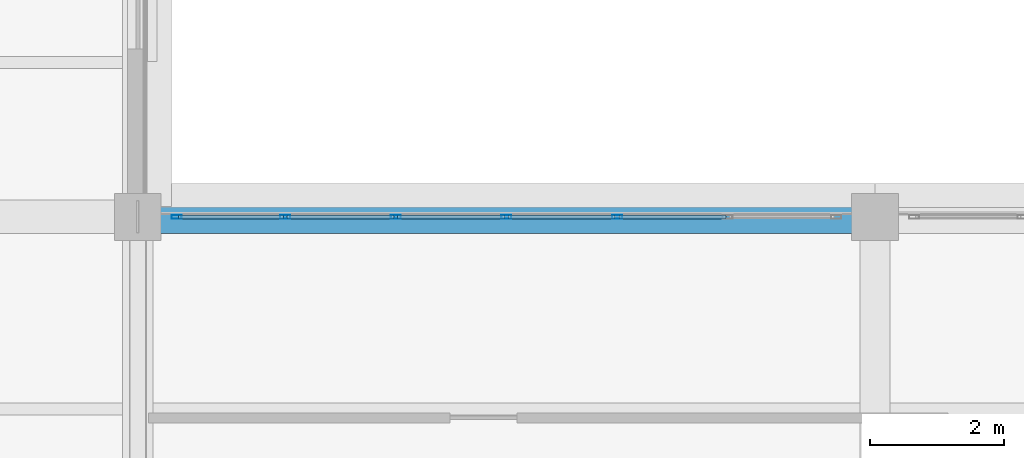
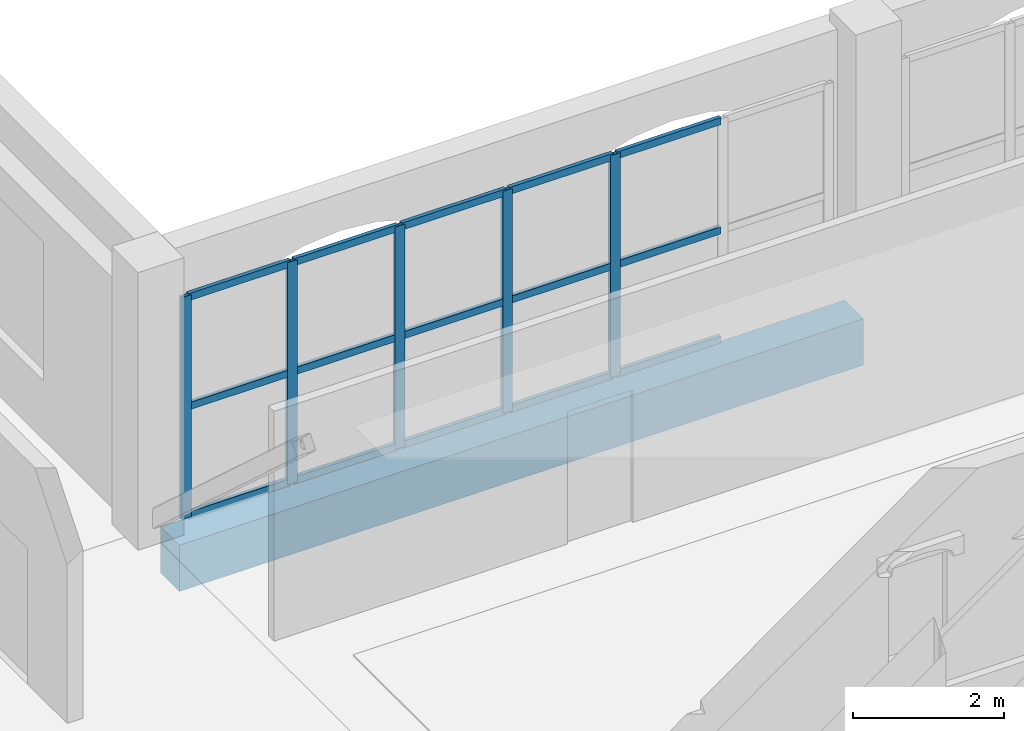
# One storey, part 43 of 156: 20 members, 1 beam, 1 element without a shape of its own.
"""IFC4 building model written with IfcOpenShell, lengths in metres."""

from ifc_helpers import new_model, si_unit, direction, frame, origin, origin_2d, place, context, subcontext, project, spatial, rectangle, hollow_rectangle, extrude, material, material_profile, profile_set, type_object, element, aggregate, save


model = new_model("IFC4")

# Units and contexts
model_context = context("Model", 3, precision=1e-05, world=origin(), true_north=direction((0.0, 1.0)))
body_context = subcontext(model_context, "Body", "Model", "MODEL_VIEW")
ifc_project = project(units=[si_unit("LENGTHUNIT", "METRE"), si_unit("AREAUNIT", "SQUARE_METRE"), si_unit("VOLUMEUNIT", "CUBIC_METRE"), si_unit("PLANEANGLEUNIT", "RADIAN"), si_unit("MASSUNIT", "GRAM", prefix="KILO")], contexts=[model_context])

# Site, building, storey
site_placement = place(None, origin())
site = spatial("IfcSite", under=ifc_project, at=site_placement, CompositionType="ELEMENT")
building_placement = place(site_placement, origin())
building = spatial("IfcBuilding", under=site, at=building_placement, Name="Caurita Quay Ferry Terminal", CompositionType="ELEMENT")
storey_placement = place(building_placement, frame((0.0, 0.0, 5.39990234375)))
storey = spatial("IfcBuildingStorey", under=building, at=storey_placement, Name="L01", CompositionType="ELEMENT", Elevation=5.39990234375)

# Beam
ifc_material_1 = material(Name="Reinforced concrete C35/45", Category="concrete")
ifc_material_profile_1 = material_profile(ifc_material_1, rectangle(XDim=0.5, YDim=0.75, at=origin_2d()), Name="RC-BM-500X750")
ifc_profile_set_1 = profile_set([ifc_material_profile_1], Name="Reinforced concrete C35/45")
beam_type = type_object("IfcBeamType", Name="BM-RC-5075", PredefinedType="BEAM", material=ifc_profile_set_1)
beam_placement = place(storey_placement, frame((22.340087890625, 80.199951171875, -0.594970703125), z_axis=(1.0, 0.0, 0.0), x_axis=(0.0, 1.0, 0.0)))
element("IfcBeam", 1, at=beam_placement, inside=storey, type_object=beam_type, Name="L01 Beam BM-V5-L01-X-223-802", PredefinedType="BEAM", context=body_context, shape_type="SweptSolid", body=[
    extrude(rectangle(XDim=0.5, YDim=0.75, at=origin_2d()), origin(), (0.0, 0.0, 1.0), 10.485107421875),
])

# Curtain wall, members
ifc_material_2 = material(Name="Laminated solar-control insulated glass", Category="glass")
curtain_wall_type = type_object("IfcCurtainWallType", Name="CW-SYS-23", PredefinedType="NOTDEFINED", material=ifc_material_2)
curtain_wall_placement = place(storey_placement, origin())
curtain_wall = element("IfcCurtainWall", 2, at=curtain_wall_placement, inside=storey, type_object=curtain_wall_type, Name="L01 Courtyard Cloister Storefront 156", PredefinedType="NOTDEFINED")
ifc_material_3 = material(Name="Anodized aluminium 6063-T6", Category="aluminium")
ifc_material_profile_2 = material_profile(ifc_material_3, hollow_rectangle(XDim=0.06005859375, YDim=0.14990234375, WallThickness=0.00341796875, at=origin_2d()), Name="ALU-MUL-60X150")
ifc_profile_set_2 = profile_set([ifc_material_profile_2], Name="Anodized aluminium 6063-T6")
member_type_1 = type_object("IfcMemberType", Name="CW-MUL-150", PredefinedType="MULLION", material=ifc_profile_set_2)
member_1_placement = place(storey_placement, frame((22.580078125, 80.199951171875, 0.0), z_axis=(0.0, 0.0, 1.0), x_axis=(0.0, 1.0, 0.0)))
member_1 = element("IfcMember", 3, at=member_1_placement, type_object=member_type_1, Name="CW-CRT-156 Mullion 1", PredefinedType="MULLION", context=body_context, shape_type="SweptSolid", body=[
    extrude(hollow_rectangle(XDim=0.06005859375, YDim=0.14990234375, WallThickness=0.00341796875, at=origin_2d()), origin(), (0.0, 0.0, 1.0), 3.60009765625),
])
member_2_placement = place(storey_placement, frame((24.199951171875, 80.199951171875, 0.0), z_axis=(0.0, 0.0, 1.0), x_axis=(0.0, 1.0, 0.0)))
member_2 = element("IfcMember", 4, at=member_2_placement, type_object=member_type_1, Name="CW-CRT-156 Mullion 2", PredefinedType="MULLION", context=body_context, shape_type="SweptSolid", body=[
    extrude(hollow_rectangle(XDim=0.06005859375, YDim=0.14990234375, WallThickness=0.00341796875, at=origin_2d()), origin(), (0.0, 0.0, 1.0), 3.60009765625),
])
member_3_placement = place(storey_placement, frame((25.85009765625, 80.199951171875, 0.0), z_axis=(0.0, 0.0, 1.0), x_axis=(0.0, 1.0, 0.0)))
member_3 = element("IfcMember", 5, at=member_3_placement, type_object=member_type_1, Name="CW-CRT-156 Mullion 3", PredefinedType="MULLION", context=body_context, shape_type="SweptSolid", body=[
    extrude(hollow_rectangle(XDim=0.06005859375, YDim=0.14990234375, WallThickness=0.00341796875, at=origin_2d()), origin(), (0.0, 0.0, 1.0), 3.60009765625),
])
member_4_placement = place(storey_placement, frame((27.5, 80.199951171875, 0.0), z_axis=(0.0, 0.0, 1.0), x_axis=(0.0, 1.0, 0.0)))
member_4 = element("IfcMember", 6, at=member_4_placement, type_object=member_type_1, Name="CW-CRT-156 Mullion 4", PredefinedType="MULLION", context=body_context, shape_type="SweptSolid", body=[
    extrude(hollow_rectangle(XDim=0.06005859375, YDim=0.14990234375, WallThickness=0.00341796875, at=origin_2d()), origin(), (0.0, 0.0, 1.0), 3.60009765625),
])
member_5_placement = place(storey_placement, frame((29.14990234375, 80.199951171875, 0.0), z_axis=(0.0, 0.0, 1.0), x_axis=(0.0, 1.0, 0.0)))
member_5 = element("IfcMember", 7, at=member_5_placement, type_object=member_type_1, Name="CW-CRT-156 Mullion 5", PredefinedType="MULLION", context=body_context, shape_type="SweptSolid", body=[
    extrude(hollow_rectangle(XDim=0.06005859375, YDim=0.14990234375, WallThickness=0.00341796875, at=origin_2d()), origin(), (0.0, 0.0, 1.0), 3.60009765625),
])
ifc_material_profile_3 = material_profile(ifc_material_3, hollow_rectangle(XDim=0.06005859375, YDim=0.114990234375, WallThickness=0.00341796875, at=origin_2d()), Name="ALU-TRN-60X115")
ifc_profile_set_3 = profile_set([ifc_material_profile_3], Name="Anodized aluminium 6063-T6")
member_type_2 = type_object("IfcMemberType", Name="CW-TRN-115", PredefinedType="USERDEFINED", material=ifc_profile_set_3)
member_6_placement = place(storey_placement, frame((22.60791015625, 80.199951171875, 0.030029296875), z_axis=(1.0, 0.0, 0.0), x_axis=(0.0, 1.0, 0.0)))
member_6 = element("IfcMember", 8, at=member_6_placement, type_object=member_type_2, Name="CW-CRT-156 Transom 1", ObjectType="TRANSOM", PredefinedType="USERDEFINED", context=body_context, shape_type="SweptSolid", body=[
    extrude(hollow_rectangle(XDim=0.06005859375, YDim=0.114990234375, WallThickness=0.00341796875, at=origin_2d()), origin(), (0.0, 0.0, 1.0), 1.564208984375),
])
member_7_placement = place(storey_placement, frame((22.60791015625, 80.199951171875, 1.800048828125), z_axis=(1.0, 0.0, 0.0), x_axis=(0.0, 1.0, 0.0)))
member_7 = element("IfcMember", 9, at=member_7_placement, type_object=member_type_2, Name="CW-CRT-156 Transom 2", ObjectType="TRANSOM", PredefinedType="USERDEFINED", context=body_context, shape_type="SweptSolid", body=[
    extrude(hollow_rectangle(XDim=0.06005859375, YDim=0.114990234375, WallThickness=0.00341796875, at=origin_2d()), origin(), (0.0, 0.0, 1.0), 1.564208984375),
])
member_8_placement = place(storey_placement, frame((22.60791015625, 80.199951171875, 3.570068359375), z_axis=(1.0, 0.0, 0.0), x_axis=(0.0, 1.0, 0.0)))
member_8 = element("IfcMember", 10, at=member_8_placement, type_object=member_type_2, Name="CW-CRT-156 Transom 3", ObjectType="TRANSOM", PredefinedType="USERDEFINED", context=body_context, shape_type="SweptSolid", body=[
    extrude(hollow_rectangle(XDim=0.06005859375, YDim=0.114990234375, WallThickness=0.00341796875, at=origin_2d()), origin(), (0.0, 0.0, 1.0), 1.564208984375),
])
member_9_placement = place(storey_placement, frame((24.22802734375, 80.199951171875, 0.030029296875), z_axis=(1.0, 0.0, 0.0), x_axis=(0.0, 1.0, 0.0)))
member_9 = element("IfcMember", 11, at=member_9_placement, type_object=member_type_2, Name="CW-CRT-156 Transom 4", ObjectType="TRANSOM", PredefinedType="USERDEFINED", context=body_context, shape_type="SweptSolid", body=[
    extrude(hollow_rectangle(XDim=0.06005859375, YDim=0.114990234375, WallThickness=0.00341796875, at=origin_2d()), origin(), (0.0, 0.0, 1.0), 1.593994140625),
])
member_10_placement = place(storey_placement, frame((24.22802734375, 80.199951171875, 1.800048828125), z_axis=(1.0, 0.0, 0.0), x_axis=(0.0, 1.0, 0.0)))
member_10 = element("IfcMember", 12, at=member_10_placement, type_object=member_type_2, Name="CW-CRT-156 Transom 5", ObjectType="TRANSOM", PredefinedType="USERDEFINED", context=body_context, shape_type="SweptSolid", body=[
    extrude(hollow_rectangle(XDim=0.06005859375, YDim=0.114990234375, WallThickness=0.00341796875, at=origin_2d()), origin(), (0.0, 0.0, 1.0), 1.593994140625),
])
member_11_placement = place(storey_placement, frame((24.22802734375, 80.199951171875, 3.570068359375), z_axis=(1.0, 0.0, 0.0), x_axis=(0.0, 1.0, 0.0)))
member_11 = element("IfcMember", 13, at=member_11_placement, type_object=member_type_2, Name="CW-CRT-156 Transom 6", ObjectType="TRANSOM", PredefinedType="USERDEFINED", context=body_context, shape_type="SweptSolid", body=[
    extrude(hollow_rectangle(XDim=0.06005859375, YDim=0.114990234375, WallThickness=0.00341796875, at=origin_2d()), origin(), (0.0, 0.0, 1.0), 1.593994140625),
])
member_12_placement = place(storey_placement, frame((25.8779296875, 80.199951171875, 0.030029296875), z_axis=(1.0, 0.0, 0.0), x_axis=(0.0, 1.0, 0.0)))
member_12 = element("IfcMember", 14, at=member_12_placement, type_object=member_type_2, Name="CW-CRT-156 Transom 7", ObjectType="TRANSOM", PredefinedType="USERDEFINED", context=body_context, shape_type="SweptSolid", body=[
    extrude(hollow_rectangle(XDim=0.06005859375, YDim=0.114990234375, WallThickness=0.00341796875, at=origin_2d()), origin(), (0.0, 0.0, 1.0), 1.593994140625),
])
member_13_placement = place(storey_placement, frame((25.8779296875, 80.199951171875, 1.800048828125), z_axis=(1.0, 0.0, 0.0), x_axis=(0.0, 1.0, 0.0)))
member_13 = element("IfcMember", 15, at=member_13_placement, type_object=member_type_2, Name="CW-CRT-156 Transom 8", ObjectType="TRANSOM", PredefinedType="USERDEFINED", context=body_context, shape_type="SweptSolid", body=[
    extrude(hollow_rectangle(XDim=0.06005859375, YDim=0.114990234375, WallThickness=0.00341796875, at=origin_2d()), origin(), (0.0, 0.0, 1.0), 1.593994140625),
])
member_14_placement = place(storey_placement, frame((25.8779296875, 80.199951171875, 3.570068359375), z_axis=(1.0, 0.0, 0.0), x_axis=(0.0, 1.0, 0.0)))
member_14 = element("IfcMember", 16, at=member_14_placement, type_object=member_type_2, Name="CW-CRT-156 Transom 9", ObjectType="TRANSOM", PredefinedType="USERDEFINED", context=body_context, shape_type="SweptSolid", body=[
    extrude(hollow_rectangle(XDim=0.06005859375, YDim=0.114990234375, WallThickness=0.00341796875, at=origin_2d()), origin(), (0.0, 0.0, 1.0), 1.593994140625),
])
member_15_placement = place(storey_placement, frame((27.528076171875, 80.199951171875, 0.030029296875), z_axis=(1.0, 0.0, 0.0), x_axis=(0.0, 1.0, 0.0)))
member_15 = element("IfcMember", 17, at=member_15_placement, type_object=member_type_2, Name="CW-CRT-156 Transom 10", ObjectType="TRANSOM", PredefinedType="USERDEFINED", context=body_context, shape_type="SweptSolid", body=[
    extrude(hollow_rectangle(XDim=0.06005859375, YDim=0.114990234375, WallThickness=0.00341796875, at=origin_2d()), origin(), (0.0, 0.0, 1.0), 1.593994140625),
])
member_16_placement = place(storey_placement, frame((27.528076171875, 80.199951171875, 1.800048828125), z_axis=(1.0, 0.0, 0.0), x_axis=(0.0, 1.0, 0.0)))
member_16 = element("IfcMember", 18, at=member_16_placement, type_object=member_type_2, Name="CW-CRT-156 Transom 11", ObjectType="TRANSOM", PredefinedType="USERDEFINED", context=body_context, shape_type="SweptSolid", body=[
    extrude(hollow_rectangle(XDim=0.06005859375, YDim=0.114990234375, WallThickness=0.00341796875, at=origin_2d()), origin(), (0.0, 0.0, 1.0), 1.593994140625),
])
member_17_placement = place(storey_placement, frame((27.528076171875, 80.199951171875, 3.570068359375), z_axis=(1.0, 0.0, 0.0), x_axis=(0.0, 1.0, 0.0)))
member_17 = element("IfcMember", 19, at=member_17_placement, type_object=member_type_2, Name="CW-CRT-156 Transom 12", ObjectType="TRANSOM", PredefinedType="USERDEFINED", context=body_context, shape_type="SweptSolid", body=[
    extrude(hollow_rectangle(XDim=0.06005859375, YDim=0.114990234375, WallThickness=0.00341796875, at=origin_2d()), origin(), (0.0, 0.0, 1.0), 1.593994140625),
])
member_18_placement = place(storey_placement, frame((29.177978515625, 80.199951171875, 0.030029296875), z_axis=(1.0, 0.0, 0.0), x_axis=(0.0, 1.0, 0.0)))
member_18 = element("IfcMember", 20, at=member_18_placement, type_object=member_type_2, Name="CW-CRT-156 Transom 13", ObjectType="TRANSOM", PredefinedType="USERDEFINED", context=body_context, shape_type="SweptSolid", body=[
    extrude(hollow_rectangle(XDim=0.06005859375, YDim=0.114990234375, WallThickness=0.00341796875, at=origin_2d()), origin(), (0.0, 0.0, 1.0), 1.593994140625),
])
member_19_placement = place(storey_placement, frame((29.177978515625, 80.199951171875, 1.800048828125), z_axis=(1.0, 0.0, 0.0), x_axis=(0.0, 1.0, 0.0)))
member_19 = element("IfcMember", 21, at=member_19_placement, type_object=member_type_2, Name="CW-CRT-156 Transom 14", ObjectType="TRANSOM", PredefinedType="USERDEFINED", context=body_context, shape_type="SweptSolid", body=[
    extrude(hollow_rectangle(XDim=0.06005859375, YDim=0.114990234375, WallThickness=0.00341796875, at=origin_2d()), origin(), (0.0, 0.0, 1.0), 1.593994140625),
])
member_20_placement = place(storey_placement, frame((29.177978515625, 80.199951171875, 3.570068359375), z_axis=(1.0, 0.0, 0.0), x_axis=(0.0, 1.0, 0.0)))
member_20 = element("IfcMember", 22, at=member_20_placement, type_object=member_type_2, Name="CW-CRT-156 Transom 15", ObjectType="TRANSOM", PredefinedType="USERDEFINED", context=body_context, shape_type="SweptSolid", body=[
    extrude(hollow_rectangle(XDim=0.06005859375, YDim=0.114990234375, WallThickness=0.00341796875, at=origin_2d()), origin(), (0.0, 0.0, 1.0), 1.593994140625),
])
aggregate(curtain_wall, [member_1, member_2, member_3, member_4, member_5, member_6, member_7, member_8, member_9, member_10, member_11, member_12, member_13, member_14, member_15, member_16, member_17, member_18, member_19, member_20])

save(model, "model.ifc")
